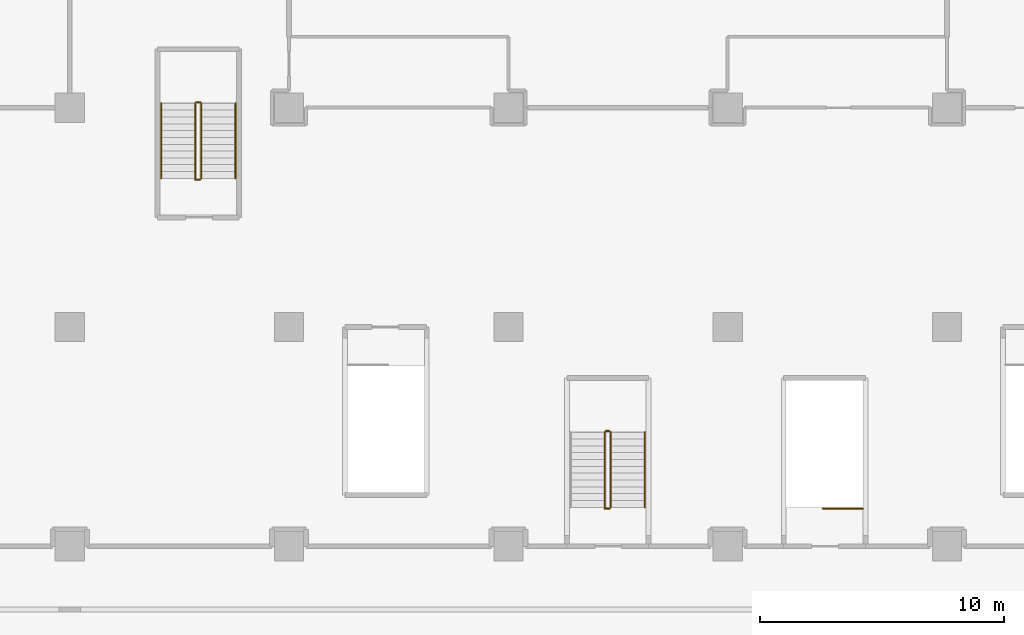
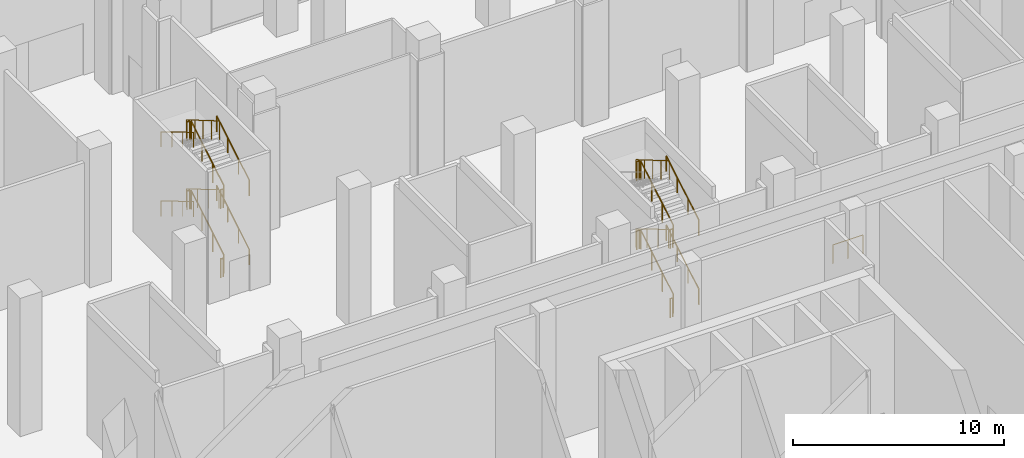
# One storey, part 37 of 42: 23 railings.
"""IFC4 building model written with IfcOpenShell, lengths in metres."""

from ifc_helpers import new_model, si_unit, direction, frame, origin, origin_2d, place, context, subcontext, project, spatial, circle, extrude, material, type_object, element, save


model = new_model("IFC4")

# Units and contexts
model_context = context("Model", 3, precision=1e-05, world=origin(), true_north=direction((0.0, 1.0)))
body_context = subcontext(model_context, "Body", "Model", "MODEL_VIEW")
ifc_project = project(units=[si_unit("LENGTHUNIT", "METRE"), si_unit("AREAUNIT", "SQUARE_METRE"), si_unit("VOLUMEUNIT", "CUBIC_METRE"), si_unit("PLANEANGLEUNIT", "RADIAN"), si_unit("MASSUNIT", "GRAM", prefix="KILO")], contexts=[model_context])

# Site, building, storey
site_placement = place(None, origin())
site = spatial("IfcSite", under=ifc_project, at=site_placement, CompositionType="ELEMENT")
building_placement = place(site_placement, origin())
building = spatial("IfcBuilding", under=site, at=building_placement, Name="Plateau Cross Towers", CompositionType="ELEMENT")
storey_placement = place(building_placement, origin())
storey = spatial("IfcBuildingStorey", under=building, at=storey_placement, Name="L00", CompositionType="ELEMENT", Elevation=0.0)

# Railings
ifc_material_1 = material(Name="Stainless steel and toughened glass", Category="steel")
railing_type_1 = type_object("IfcRailingType", Name="RL-GUARD-1100", PredefinedType="GUARDRAIL", material=ifc_material_1)
railing_1_placement = place(storey_placement, frame((95.550048828125, 28.550048828125, 0.0)))
element("IfcRailing", 1, at=railing_1_placement, inside=storey, type_object=railing_type_1, Name="L00 PB5 top well guard 1", PredefinedType="GUARDRAIL", context=body_context, shape_type="SweptSolid", body=[
    extrude(circle(Radius=0.02392578125, at=origin_2d()), frame((0.0, 0.0, 1.076171875), z_axis=(-1.0, 0.0, 0.0), x_axis=(0.0, -1.0, 0.0)), (0.0, 0.0, 1.0), 1.650146484375),
    extrude(circle(Radius=0.02099609375, at=origin_2d()), origin(), (0.0, 0.0, 1.0), 1.052001953125),
    extrude(circle(Radius=0.02099609375, at=origin_2d()), frame((-0.8251953125, 0.0, 0.0)), (0.0, 0.0, 1.0), 1.052001953125),
    extrude(circle(Radius=0.02099609375, at=origin_2d()), frame((-1.650146484375, 0.0, 0.0)), (0.0, 0.0, 1.0), 1.052001953125),
])
railing_2_placement = place(storey_placement, frame((68.39990234375, 42.10009765625, 0.166748046875)))
element("IfcRailing", 2, at=railing_2_placement, inside=storey, type_object=railing_type_1, Name="L00 PS3 stair guard 1", PredefinedType="GUARDRAIL", context=body_context, shape_type="SweptSolid", body=[
    extrude(circle(Radius=0.02392578125, at=origin_2d()), frame((0.0, 0.0, 1.076171875), z_axis=(0.0, 0.859290745958, 0.51148745235), x_axis=(-1.0, 0.0, 0.0)), (0.0, 0.0, 1.0), 3.584228515625),
    extrude(circle(Radius=0.02099609375, at=origin_2d()), origin(), (0.0, 0.0, 1.0), 1.052001953125),
    extrude(circle(Radius=0.02099609375, at=origin_2d()), frame((0.0, 1.026611328125, 0.611083984375)), (0.0, 0.0, 1.0), 1.052001953125),
    extrude(circle(Radius=0.02099609375, at=origin_2d()), frame((0.0, 2.05322265625, 1.22216796875)), (0.0, 0.0, 1.0), 1.052001953125),
    extrude(circle(Radius=0.02099609375, at=origin_2d()), frame((0.0, 3.079833984375, 1.833251953125)), (0.0, 0.0, 1.0), 1.052001953125),
])
railing_3_placement = place(storey_placement, frame((68.35009765625, 45.22998046875, 2.0)))
element("IfcRailing", 3, at=railing_3_placement, inside=storey, type_object=railing_type_1, Name="L00 PS3 stair guard 2", PredefinedType="GUARDRAIL", context=body_context, shape_type="SweptSolid", body=[
    extrude(circle(Radius=0.02392578125, at=origin_2d()), frame((0.0, 0.0, 1.076171875), z_axis=(-1.0, 0.0, 0.0), x_axis=(0.0, -1.0, 0.0)), (0.0, 0.0, 1.0), 0.150146484375),
    extrude(circle(Radius=0.02099609375, at=origin_2d()), origin(), (0.0, 0.0, 1.0), 1.052001953125),
    extrude(circle(Radius=0.02099609375, at=origin_2d()), frame((-0.150146484375, 0.0, 0.0)), (0.0, 0.0, 1.0), 1.052001953125),
])
railing_4_placement = place(storey_placement, frame((68.14990234375, 45.179931640625, 2.166748046875)))
element("IfcRailing", 4, at=railing_4_placement, inside=storey, type_object=railing_type_1, Name="L00 PS3 stair guard 3", PredefinedType="GUARDRAIL", context=body_context, shape_type="SweptSolid", body=[
    extrude(circle(Radius=0.02392578125, at=origin_2d()), frame((0.0, 0.0, 1.076171875), z_axis=(0.0, -0.859290745958, 0.51148745235), x_axis=(1.0, 0.0, 0.0)), (0.0, 0.0, 1.0), 3.584228515625),
    extrude(circle(Radius=0.02099609375, at=origin_2d()), origin(), (0.0, 0.0, 1.0), 1.052001953125),
    extrude(circle(Radius=0.02099609375, at=origin_2d()), frame((0.0, -1.026611328125, 0.611083984375)), (0.0, 0.0, 1.0), 1.052001953125),
    extrude(circle(Radius=0.02099609375, at=origin_2d()), frame((0.0, -2.05322265625, 1.22216796875)), (0.0, 0.0, 1.0), 1.052001953125),
    extrude(circle(Radius=0.02099609375, at=origin_2d()), frame((0.0, -3.079833984375, 1.833251953125)), (0.0, 0.0, 1.0), 1.052001953125),
])
railing_5_placement = place(storey_placement, frame((68.35009765625, 42.050048828125, 4.0)))
element("IfcRailing", 5, at=railing_5_placement, inside=storey, type_object=railing_type_1, Name="L00 PS3 stair guard 4", PredefinedType="GUARDRAIL", context=body_context, shape_type="SweptSolid", body=[
    extrude(circle(Radius=0.02392578125, at=origin_2d()), frame((0.0, 0.0, 1.076171875), z_axis=(-1.0, 0.0, 0.0), x_axis=(0.0, -1.0, 0.0)), (0.0, 0.0, 1.0), 0.150146484375),
    extrude(circle(Radius=0.02099609375, at=origin_2d()), origin(), (0.0, 0.0, 1.0), 1.052001953125),
    extrude(circle(Radius=0.02099609375, at=origin_2d()), frame((-0.150146484375, 0.0, 0.0)), (0.0, 0.0, 1.0), 1.052001953125),
])
railing_6_placement = place(storey_placement, frame((68.39990234375, 42.10009765625, 4.166748046875)))
element("IfcRailing", 6, at=railing_6_placement, inside=storey, type_object=railing_type_1, Name="L00 PS3 stair guard 5", PredefinedType="GUARDRAIL", context=body_context, shape_type="SweptSolid", body=[
    extrude(circle(Radius=0.02392578125, at=origin_2d()), frame((0.0, 0.0, 1.076171875), z_axis=(0.0, 0.859290745958, 0.51148745235), x_axis=(-1.0, 0.0, 0.0)), (0.0, 0.0, 1.0), 3.584228515625),
    extrude(circle(Radius=0.02099609375, at=origin_2d()), origin(), (0.0, 0.0, 1.0), 1.052001953125),
    extrude(circle(Radius=0.02099609375, at=origin_2d()), frame((0.0, 1.026611328125, 0.611083984375)), (0.0, 0.0, 1.0), 1.052001953125),
    extrude(circle(Radius=0.02099609375, at=origin_2d()), frame((0.0, 2.05322265625, 1.22216796875)), (0.0, 0.0, 1.0), 1.052001953125),
    extrude(circle(Radius=0.02099609375, at=origin_2d()), frame((0.0, 3.079833984375, 1.833251953125)), (0.0, 0.0, 1.0), 1.052001953125),
])
railing_7_placement = place(storey_placement, frame((68.35009765625, 45.22998046875, 6.0)))
element("IfcRailing", 7, at=railing_7_placement, inside=storey, type_object=railing_type_1, Name="L00 PS3 stair guard 6", PredefinedType="GUARDRAIL", context=body_context, shape_type="SweptSolid", body=[
    extrude(circle(Radius=0.02392578125, at=origin_2d()), frame((0.0, 0.0, 1.076171875), z_axis=(-1.0, 0.0, 0.0), x_axis=(0.0, -1.0, 0.0)), (0.0, 0.0, 1.0), 0.150146484375),
    extrude(circle(Radius=0.02099609375, at=origin_2d()), origin(), (0.0, 0.0, 1.0), 1.052001953125),
    extrude(circle(Radius=0.02099609375, at=origin_2d()), frame((-0.150146484375, 0.0, 0.0)), (0.0, 0.0, 1.0), 1.052001953125),
])
railing_8_placement = place(storey_placement, frame((68.14990234375, 45.179931640625, 6.166748046875)))
element("IfcRailing", 8, at=railing_8_placement, inside=storey, type_object=railing_type_1, Name="L00 PS3 stair guard 7", PredefinedType="GUARDRAIL", context=body_context, shape_type="SweptSolid", body=[
    extrude(circle(Radius=0.02392578125, at=origin_2d()), frame((0.0, 0.0, 1.076171875), z_axis=(0.0, -0.862879167799, 0.505410270749), x_axis=(1.0, 0.0, 0.0)), (0.0, 0.0, 1.0), 3.627197265625),
    extrude(circle(Radius=0.02099609375, at=origin_2d()), origin(), (0.0, 0.0, 1.0), 1.052001953125),
    extrude(circle(Radius=0.02099609375, at=origin_2d()), frame((0.0, -0.782470703125, 0.458251953125)), (0.0, 0.0, 1.0), 1.052001953125),
    extrude(circle(Radius=0.02099609375, at=origin_2d()), frame((0.0, -1.56494140625, 0.91650390625)), (0.0, 0.0, 1.0), 1.052001953125),
    extrude(circle(Radius=0.02099609375, at=origin_2d()), frame((0.0, -2.347412109375, 1.375)), (0.0, 0.0, 1.0), 1.052001953125),
    extrude(circle(Radius=0.02099609375, at=origin_2d()), frame((0.0, -3.1298828125, 1.833251953125)), (0.0, 0.0, 1.0), 1.052001953125),
])
railing_9_placement = place(storey_placement, frame((68.35009765625, 42.050048828125, 0.0)))
element("IfcRailing", 9, at=railing_9_placement, inside=storey, type_object=railing_type_1, Name="L00 PS3 stair guard 8", PredefinedType="GUARDRAIL", context=body_context, shape_type="SweptSolid", body=[
    extrude(circle(Radius=0.02392578125, at=origin_2d()), frame((0.0, 0.0, 1.076171875), z_axis=(-1.0, 0.0, 0.0), x_axis=(0.0, -1.0, 0.0)), (0.0, 0.0, 1.0), 0.150146484375),
    extrude(circle(Radius=0.02099609375, at=origin_2d()), origin(), (0.0, 0.0, 1.0), 1.052001953125),
    extrude(circle(Radius=0.02099609375, at=origin_2d()), frame((-0.150146484375, 0.0, 0.0)), (0.0, 0.0, 1.0), 1.052001953125),
])
railing_10_placement = place(storey_placement, frame((85.199951171875, 28.60009765625, 0.166748046875)))
element("IfcRailing", 10, at=railing_10_placement, inside=storey, type_object=railing_type_1, Name="L00 PS5 stair guard 1", PredefinedType="GUARDRAIL", context=body_context, shape_type="SweptSolid", body=[
    extrude(circle(Radius=0.02392578125, at=origin_2d()), frame((0.0, 0.0, 1.076171875), z_axis=(0.0, 0.859290745958, 0.51148745235), x_axis=(-1.0, 0.0, 0.0)), (0.0, 0.0, 1.0), 3.584228515625),
    extrude(circle(Radius=0.02099609375, at=origin_2d()), origin(), (0.0, 0.0, 1.0), 1.052001953125),
    extrude(circle(Radius=0.02099609375, at=origin_2d()), frame((0.0, 1.026611328125, 0.611083984375)), (0.0, 0.0, 1.0), 1.052001953125),
    extrude(circle(Radius=0.02099609375, at=origin_2d()), frame((0.0, 2.05322265625, 1.22216796875)), (0.0, 0.0, 1.0), 1.052001953125),
    extrude(circle(Radius=0.02099609375, at=origin_2d()), frame((0.0, 3.079833984375, 1.833251953125)), (0.0, 0.0, 1.0), 1.052001953125),
])
railing_11_placement = place(storey_placement, frame((85.14990234375, 31.72998046875, 2.0)))
element("IfcRailing", 11, at=railing_11_placement, inside=storey, type_object=railing_type_1, Name="L00 PS5 stair guard 2", PredefinedType="GUARDRAIL", context=body_context, shape_type="SweptSolid", body=[
    extrude(circle(Radius=0.02392578125, at=origin_2d()), frame((0.0, 0.0, 1.076171875), z_axis=(-1.0, 0.0, 0.0), x_axis=(0.0, -1.0, 0.0)), (0.0, 0.0, 1.0), 0.14990234375),
    extrude(circle(Radius=0.02099609375, at=origin_2d()), origin(), (0.0, 0.0, 1.0), 1.052001953125),
    extrude(circle(Radius=0.02099609375, at=origin_2d()), frame((-0.14990234375, 0.0, 0.0)), (0.0, 0.0, 1.0), 1.052001953125),
])
railing_12_placement = place(storey_placement, frame((84.949951171875, 31.679931640625, 2.166748046875)))
element("IfcRailing", 12, at=railing_12_placement, inside=storey, type_object=railing_type_1, Name="L00 PS5 stair guard 3", PredefinedType="GUARDRAIL", context=body_context, shape_type="SweptSolid", body=[
    extrude(circle(Radius=0.02392578125, at=origin_2d()), frame((0.0, 0.0, 1.076171875), z_axis=(0.0, -0.859290745958, 0.51148745235), x_axis=(1.0, 0.0, 0.0)), (0.0, 0.0, 1.0), 3.584228515625),
    extrude(circle(Radius=0.02099609375, at=origin_2d()), origin(), (0.0, 0.0, 1.0), 1.052001953125),
    extrude(circle(Radius=0.02099609375, at=origin_2d()), frame((0.0, -1.026611328125, 0.611083984375)), (0.0, 0.0, 1.0), 1.052001953125),
    extrude(circle(Radius=0.02099609375, at=origin_2d()), frame((0.0, -2.05322265625, 1.22216796875)), (0.0, 0.0, 1.0), 1.052001953125),
    extrude(circle(Radius=0.02099609375, at=origin_2d()), frame((0.0, -3.079833984375, 1.833251953125)), (0.0, 0.0, 1.0), 1.052001953125),
])
railing_13_placement = place(storey_placement, frame((85.14990234375, 28.550048828125, 4.0)))
element("IfcRailing", 13, at=railing_13_placement, inside=storey, type_object=railing_type_1, Name="L00 PS5 stair guard 4", PredefinedType="GUARDRAIL", context=body_context, shape_type="SweptSolid", body=[
    extrude(circle(Radius=0.02392578125, at=origin_2d()), frame((0.0, 0.0, 1.076171875), z_axis=(-1.0, 0.0, 0.0), x_axis=(0.0, -1.0, 0.0)), (0.0, 0.0, 1.0), 0.14990234375),
    extrude(circle(Radius=0.02099609375, at=origin_2d()), origin(), (0.0, 0.0, 1.0), 1.052001953125),
    extrude(circle(Radius=0.02099609375, at=origin_2d()), frame((-0.14990234375, 0.0, 0.0)), (0.0, 0.0, 1.0), 1.052001953125),
])
railing_14_placement = place(storey_placement, frame((85.199951171875, 28.60009765625, 4.166748046875)))
element("IfcRailing", 14, at=railing_14_placement, inside=storey, type_object=railing_type_1, Name="L00 PS5 stair guard 5", PredefinedType="GUARDRAIL", context=body_context, shape_type="SweptSolid", body=[
    extrude(circle(Radius=0.02392578125, at=origin_2d()), frame((0.0, 0.0, 1.076171875), z_axis=(0.0, 0.859290745958, 0.51148745235), x_axis=(-1.0, 0.0, 0.0)), (0.0, 0.0, 1.0), 3.584228515625),
    extrude(circle(Radius=0.02099609375, at=origin_2d()), origin(), (0.0, 0.0, 1.0), 1.052001953125),
    extrude(circle(Radius=0.02099609375, at=origin_2d()), frame((0.0, 1.026611328125, 0.611083984375)), (0.0, 0.0, 1.0), 1.052001953125),
    extrude(circle(Radius=0.02099609375, at=origin_2d()), frame((0.0, 2.05322265625, 1.22216796875)), (0.0, 0.0, 1.0), 1.052001953125),
    extrude(circle(Radius=0.02099609375, at=origin_2d()), frame((0.0, 3.079833984375, 1.833251953125)), (0.0, 0.0, 1.0), 1.052001953125),
])
railing_15_placement = place(storey_placement, frame((85.14990234375, 31.72998046875, 6.0)))
element("IfcRailing", 15, at=railing_15_placement, inside=storey, type_object=railing_type_1, Name="L00 PS5 stair guard 6", PredefinedType="GUARDRAIL", context=body_context, shape_type="SweptSolid", body=[
    extrude(circle(Radius=0.02392578125, at=origin_2d()), frame((0.0, 0.0, 1.076171875), z_axis=(-1.0, 0.0, 0.0), x_axis=(0.0, -1.0, 0.0)), (0.0, 0.0, 1.0), 0.14990234375),
    extrude(circle(Radius=0.02099609375, at=origin_2d()), origin(), (0.0, 0.0, 1.0), 1.052001953125),
    extrude(circle(Radius=0.02099609375, at=origin_2d()), frame((-0.14990234375, 0.0, 0.0)), (0.0, 0.0, 1.0), 1.052001953125),
])
railing_16_placement = place(storey_placement, frame((84.949951171875, 31.679931640625, 6.166748046875)))
element("IfcRailing", 16, at=railing_16_placement, inside=storey, type_object=railing_type_1, Name="L00 PS5 stair guard 7", PredefinedType="GUARDRAIL", context=body_context, shape_type="SweptSolid", body=[
    extrude(circle(Radius=0.02392578125, at=origin_2d()), frame((0.0, 0.0, 1.076171875), z_axis=(0.0, -0.862879167799, 0.505410270749), x_axis=(1.0, 0.0, 0.0)), (0.0, 0.0, 1.0), 3.627197265625),
    extrude(circle(Radius=0.02099609375, at=origin_2d()), origin(), (0.0, 0.0, 1.0), 1.052001953125),
    extrude(circle(Radius=0.02099609375, at=origin_2d()), frame((0.0, -0.782470703125, 0.458251953125)), (0.0, 0.0, 1.0), 1.052001953125),
    extrude(circle(Radius=0.02099609375, at=origin_2d()), frame((0.0, -1.56494140625, 0.91650390625)), (0.0, 0.0, 1.0), 1.052001953125),
    extrude(circle(Radius=0.02099609375, at=origin_2d()), frame((0.0, -2.347412109375, 1.375)), (0.0, 0.0, 1.0), 1.052001953125),
    extrude(circle(Radius=0.02099609375, at=origin_2d()), frame((0.0, -3.1298828125, 1.833251953125)), (0.0, 0.0, 1.0), 1.052001953125),
])
railing_17_placement = place(storey_placement, frame((85.14990234375, 28.550048828125, 0.0)))
element("IfcRailing", 17, at=railing_17_placement, inside=storey, type_object=railing_type_1, Name="L00 PS5 stair guard 8", PredefinedType="GUARDRAIL", context=body_context, shape_type="SweptSolid", body=[
    extrude(circle(Radius=0.02392578125, at=origin_2d()), frame((0.0, 0.0, 1.076171875), z_axis=(-1.0, 0.0, 0.0), x_axis=(0.0, -1.0, 0.0)), (0.0, 0.0, 1.0), 0.14990234375),
    extrude(circle(Radius=0.02099609375, at=origin_2d()), origin(), (0.0, 0.0, 1.0), 1.052001953125),
    extrude(circle(Radius=0.02099609375, at=origin_2d()), frame((-0.14990234375, 0.0, 0.0)), (0.0, 0.0, 1.0), 1.052001953125),
])
ifc_material_2 = material(Name="Black anodised aluminium", Category="aluminium")
railing_type_2 = type_object("IfcRailingType", Name="RL-HANDRAIL-900", PredefinedType="HANDRAIL", material=ifc_material_2)
railing_18_placement = place(storey_placement, frame((69.800048828125, 42.10009765625, 0.166748046875)))
element("IfcRailing", 18, at=railing_18_placement, inside=storey, type_object=railing_type_2, Name="L00 PS3 stair handrail 1", PredefinedType="HANDRAIL", context=body_context, shape_type="SweptSolid", body=[
    extrude(circle(Radius=0.02392578125, at=origin_2d()), frame((0.0, 0.0, 0.8759765625), z_axis=(0.0, 0.859290745958, 0.51148745235), x_axis=(-1.0, 0.0, 0.0)), (0.0, 0.0, 1.0), 3.584228515625),
    extrude(circle(Radius=0.02099609375, at=origin_2d()), origin(), (0.0, 0.0, 1.0), 0.851806640625),
    extrude(circle(Radius=0.02099609375, at=origin_2d()), frame((0.0, 1.026611328125, 0.611083984375)), (0.0, 0.0, 1.0), 0.851806640625),
    extrude(circle(Radius=0.02099609375, at=origin_2d()), frame((0.0, 2.05322265625, 1.22216796875)), (0.0, 0.0, 1.0), 0.851806640625),
    extrude(circle(Radius=0.02099609375, at=origin_2d()), frame((0.0, 3.079833984375, 1.833251953125)), (0.0, 0.0, 1.0), 0.851806640625),
])
railing_19_placement = place(storey_placement, frame((66.75, 45.179931640625, 2.166748046875)))
element("IfcRailing", 19, at=railing_19_placement, inside=storey, type_object=railing_type_2, Name="L00 PS3 stair handrail 2", PredefinedType="HANDRAIL", context=body_context, shape_type="SweptSolid", body=[
    extrude(circle(Radius=0.02392578125, at=origin_2d()), frame((0.0, 0.0, 0.8759765625), z_axis=(0.0, -0.859290745958, 0.51148745235), x_axis=(1.0, 0.0, 0.0)), (0.0, 0.0, 1.0), 3.584228515625),
    extrude(circle(Radius=0.02099609375, at=origin_2d()), origin(), (0.0, 0.0, 1.0), 0.851806640625),
    extrude(circle(Radius=0.02099609375, at=origin_2d()), frame((0.0, -1.026611328125, 0.611083984375)), (0.0, 0.0, 1.0), 0.851806640625),
    extrude(circle(Radius=0.02099609375, at=origin_2d()), frame((0.0, -2.05322265625, 1.22216796875)), (0.0, 0.0, 1.0), 0.851806640625),
    extrude(circle(Radius=0.02099609375, at=origin_2d()), frame((0.0, -3.079833984375, 1.833251953125)), (0.0, 0.0, 1.0), 0.851806640625),
])
railing_20_placement = place(storey_placement, frame((69.800048828125, 42.10009765625, 4.166748046875)))
element("IfcRailing", 20, at=railing_20_placement, inside=storey, type_object=railing_type_2, Name="L00 PS3 stair handrail 3", PredefinedType="HANDRAIL", context=body_context, shape_type="SweptSolid", body=[
    extrude(circle(Radius=0.02392578125, at=origin_2d()), frame((0.0, 0.0, 0.8759765625), z_axis=(0.0, 0.859290745958, 0.51148745235), x_axis=(-1.0, 0.0, 0.0)), (0.0, 0.0, 1.0), 3.584228515625),
    extrude(circle(Radius=0.02099609375, at=origin_2d()), origin(), (0.0, 0.0, 1.0), 0.851806640625),
    extrude(circle(Radius=0.02099609375, at=origin_2d()), frame((0.0, 1.026611328125, 0.611083984375)), (0.0, 0.0, 1.0), 0.851806640625),
    extrude(circle(Radius=0.02099609375, at=origin_2d()), frame((0.0, 2.05322265625, 1.22216796875)), (0.0, 0.0, 1.0), 0.851806640625),
    extrude(circle(Radius=0.02099609375, at=origin_2d()), frame((0.0, 3.079833984375, 1.833251953125)), (0.0, 0.0, 1.0), 0.851806640625),
])
railing_21_placement = place(storey_placement, frame((66.75, 45.179931640625, 6.166748046875)))
element("IfcRailing", 21, at=railing_21_placement, inside=storey, type_object=railing_type_2, Name="L00 PS3 stair handrail 4", PredefinedType="HANDRAIL", context=body_context, shape_type="SweptSolid", body=[
    extrude(circle(Radius=0.02392578125, at=origin_2d()), frame((0.0, 0.0, 0.8759765625), z_axis=(0.0, -0.859290745958, 0.51148745235), x_axis=(1.0, 0.0, 0.0)), (0.0, 0.0, 1.0), 3.584228515625),
    extrude(circle(Radius=0.02099609375, at=origin_2d()), origin(), (0.0, 0.0, 1.0), 0.851806640625),
    extrude(circle(Radius=0.02099609375, at=origin_2d()), frame((0.0, -1.026611328125, 0.611083984375)), (0.0, 0.0, 1.0), 0.851806640625),
    extrude(circle(Radius=0.02099609375, at=origin_2d()), frame((0.0, -2.05322265625, 1.22216796875)), (0.0, 0.0, 1.0), 0.851806640625),
    extrude(circle(Radius=0.02099609375, at=origin_2d()), frame((0.0, -3.079833984375, 1.833251953125)), (0.0, 0.0, 1.0), 0.851806640625),
])
for number, where, name in (
    (22, (86.60009765625, 28.60009765625, 0.166748046875), "L00 PS5 stair handrail 1"),
    (23, (86.60009765625, 28.60009765625, 4.166748046875), "L00 PS5 stair handrail 3"),
):
    element("IfcRailing", number, at=place(storey_placement, frame(where)), inside=storey, type_object=railing_type_2, Name=name, PredefinedType="HANDRAIL", context=body_context, shape_type="SweptSolid", body=[
        extrude(circle(Radius=0.02392578125, at=origin_2d()), frame((0.0, 0.0, 0.8759765625), z_axis=(0.0, 0.859290745958, 0.51148745235), x_axis=(-1.0, 0.0, 0.0)), (0.0, 0.0, 1.0), 3.584228515625),
        extrude(circle(Radius=0.02099609375, at=origin_2d()), origin(), (0.0, 0.0, 1.0), 0.851806640625),
        extrude(circle(Radius=0.02099609375, at=origin_2d()), frame((0.0, 1.026611328125, 0.611083984375)), (0.0, 0.0, 1.0), 0.851806640625),
        extrude(circle(Radius=0.02099609375, at=origin_2d()), frame((0.0, 2.05322265625, 1.22216796875)), (0.0, 0.0, 1.0), 0.851806640625),
        extrude(circle(Radius=0.02099609375, at=origin_2d()), frame((0.0, 3.079833984375, 1.833251953125)), (0.0, 0.0, 1.0), 0.851806640625),
    ])

save(model, "model.ifc")
